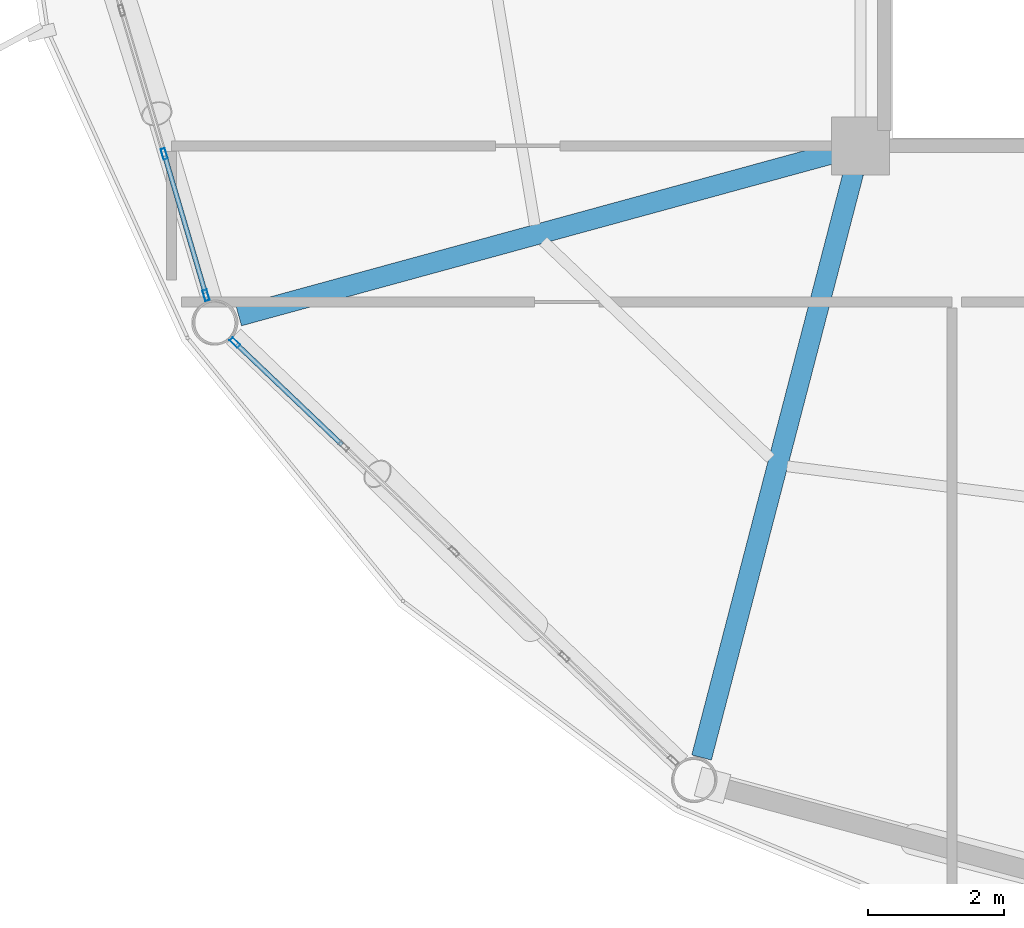
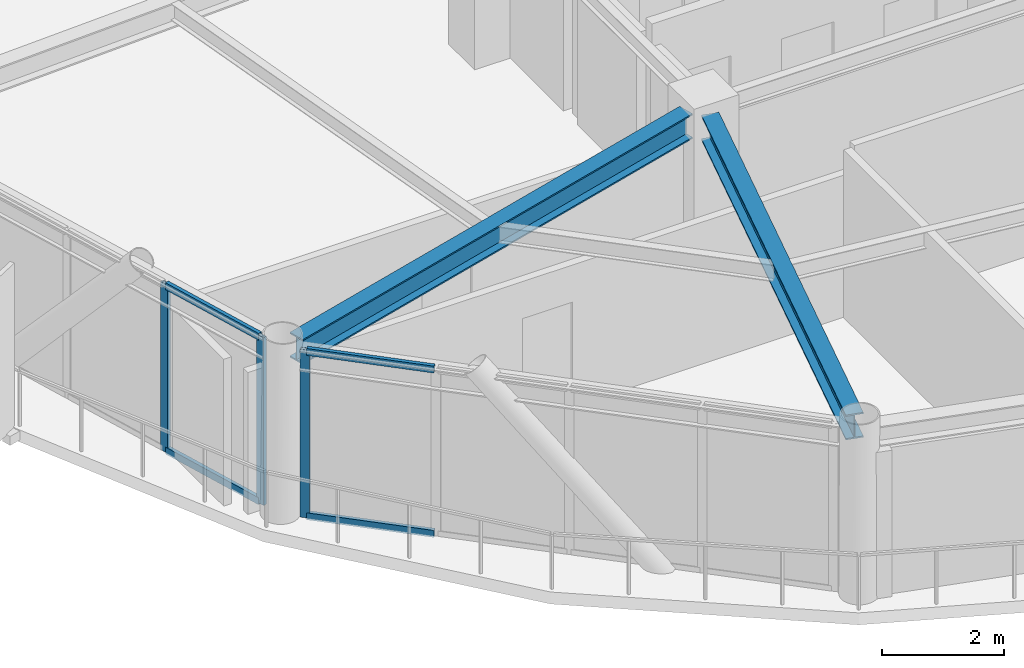
# One storey, part 4 of 28: 7 members, 2 beams, 2 elements without a shape of their own.
"""IFC4 building model written with IfcOpenShell, lengths in metres."""

from ifc_helpers import new_model, si_unit, direction, frame, origin, origin_2d, place, context, subcontext, project, spatial, hollow_rectangle, i_section, extrude, material, layer, layer_set, material_profile, profile_set, type_object, element, aggregate, save


model = new_model("IFC4")

# Units and contexts
model_context = context("Model", 3, precision=1e-05, world=origin(), true_north=direction((0.0, 1.0)))
body_context = subcontext(model_context, "Body", "Model", "MODEL_VIEW")
ifc_project = project(units=[si_unit("LENGTHUNIT", "METRE"), si_unit("AREAUNIT", "SQUARE_METRE"), si_unit("VOLUMEUNIT", "CUBIC_METRE"), si_unit("PLANEANGLEUNIT", "RADIAN"), si_unit("MASSUNIT", "GRAM", prefix="KILO")], contexts=[model_context])

# Site, building, storey
site_placement = place(None, origin())
site = spatial("IfcSite", under=ifc_project, at=site_placement, CompositionType="ELEMENT")
building_placement = place(site_placement, origin())
building = spatial("IfcBuilding", under=site, at=building_placement, Name="Varnakorn Sky Granary", CompositionType="ELEMENT")
storey_placement = place(building_placement, frame((0.0, 0.0, 196.800048828125)))
storey = spatial("IfcBuildingStorey", under=building, at=storey_placement, Name="L49", CompositionType="ELEMENT", Elevation=196.800048828125)

# Beams
ifc_material_1 = material(Name="Steel S355JR", Category="steel")
ifc_material_profile_1 = material_profile(ifc_material_1, i_section(OverallWidth=0.300048828125, OverallDepth=0.5, WebThickness=0.014404296875, FlangeThickness=0.028076171875, at=origin_2d()), Name="HE 500 B")
ifc_profile_set_1 = profile_set([ifc_material_profile_1], Name="Steel S355JR")
beam_type = type_object("IfcBeamType", Name="BM-RAD-Z4", PredefinedType="BEAM", material=ifc_profile_set_1)
beam_1_placement = place(storey_placement, frame((-2.740478515625, -6.706787109375, 3.10986328125), z_axis=(-0.964550944702, -0.26389671289, 0.0), x_axis=(0.26389671289, -0.964550944702, 0.0)))
element("IfcBeam", 1, at=beam_1_placement, inside=storey, type_object=beam_type, Name="Radial Floor Girder RG08 L49", PredefinedType="BEAM", context=body_context, shape_type="SweptSolid", body=[
    extrude(i_section(OverallWidth=0.300048828125, OverallDepth=0.5, WebThickness=0.014404296875, FlangeThickness=0.028076171875, at=origin_2d()), origin(), (0.0, 0.0, 1.0), 9.09130859375),
])
beam_2_placement = place(storey_placement, frame((-2.451904296875, -6.991943359375, 3.10986328125), z_axis=(-0.251485419147, -0.967861087118, 0.0), x_axis=(0.967861087118, -0.251485419147, 0.0)))
element("IfcBeam", 2, at=beam_2_placement, inside=storey, type_object=beam_type, Name="Radial Floor Girder RG09 L49", PredefinedType="BEAM", context=body_context, shape_type="SweptSolid", body=[
    extrude(i_section(OverallWidth=0.300048828125, OverallDepth=0.5, WebThickness=0.014404296875, FlangeThickness=0.028076171875, at=origin_2d()), origin(), (0.0, 0.0, 1.0), 8.905029296875),
])

# Curtain wall, members
ifc_material_2 = material(Name="Anodised Bronze Aluminium Alloy 6063-T6", Category="aluminium")
ifc_layer = layer(ifc_material_2, 0.169921875, Name="Anodised Bronze Aluminium Alloy 6063-T6")
ifc_layer_set = layer_set([ifc_layer], Name="Anodised Bronze Aluminium Alloy 6063-T6")
curtain_wall_type = type_object("IfcCurtainWallType", Name="CW-LAB-1", PredefinedType="USERDEFINED", material=ifc_layer_set)
curtain_wall_1_placement = place(storey_placement, origin())
curtain_wall_1 = element("IfcCurtainWall", 3, at=curtain_wall_1_placement, inside=storey, type_object=curtain_wall_type, Name="Unitised Curtain Wall CW5 CW-L49-B07", ObjectType="CURTAIN WALL", PredefinedType="USERDEFINED")
ifc_material_profile_2 = material_profile(ifc_material_2, hollow_rectangle(XDim=0.06494140625, YDim=0.159912109375, WallThickness=0.00341796875, at=origin_2d()), Name="ALU MULL 65x160")
ifc_profile_set_2 = profile_set([ifc_material_profile_2], Name="Anodised Bronze Aluminium Alloy 6063-T6")
member_type_1 = type_object("IfcMemberType", Name="CW-LAB-1-MULL", PredefinedType="MULLION", material=ifc_profile_set_2)
member_1_placement = place(storey_placement, frame((-11.991943359375, -8.80078125, 0.0), z_axis=(0.0, 0.0, 1.0), x_axis=(-0.958963914964, -0.283528146394, 0.0)))
member_1 = element("IfcMember", 4, at=member_1_placement, type_object=member_type_1, Name="CW5 mullion 1", PredefinedType="MULLION", context=body_context, shape_type="SweptSolid", body=[
    extrude(hollow_rectangle(XDim=0.06494140625, YDim=0.159912109375, WallThickness=0.00341796875, at=origin_2d()), origin(), (0.0, 0.0, 1.0), 3.35986328125),
])
member_2_placement = place(storey_placement, frame((-12.60791015625, -6.717529296875, 0.0), z_axis=(0.0, 0.0, 1.0), x_axis=(-0.958963914964, -0.283528146394, 0.0)))
member_2 = element("IfcMember", 5, at=member_2_placement, type_object=member_type_1, Name="CW5 mullion 2", PredefinedType="MULLION", context=body_context, shape_type="SweptSolid", body=[
    extrude(hollow_rectangle(XDim=0.06494140625, YDim=0.159912109375, WallThickness=0.00341796875, at=origin_2d()), origin(), (0.0, 0.0, 1.0), 3.35986328125),
])

# Curtain wall, member
curtain_wall_2_placement = place(storey_placement, origin())
curtain_wall_2 = element("IfcCurtainWall", 6, at=curtain_wall_2_placement, inside=storey, type_object=curtain_wall_type, Name="Unitised Curtain Wall CW5 CW-L49-B08", ObjectType="CURTAIN WALL", PredefinedType="USERDEFINED")
member_3_placement = place(storey_placement, frame((-11.56640625, -9.49755859375, 0.0), z_axis=(0.0, 0.0, 1.0), x_axis=(-0.690097158605, -0.723716734424, 0.0)))
member_3 = element("IfcMember", 7, at=member_3_placement, type_object=member_type_1, Name="CW5 mullion 5", PredefinedType="MULLION", context=body_context, shape_type="SweptSolid", body=[
    extrude(hollow_rectangle(XDim=0.06494140625, YDim=0.159912109375, WallThickness=0.00341796875, at=origin_2d()), origin(), (0.0, 0.0, 1.0), 3.35986328125),
])

# Member
ifc_material_profile_3 = material_profile(ifc_material_2, hollow_rectangle(XDim=0.070068359375, YDim=0.139892578125, WallThickness=0.00341796875, at=origin_2d()), Name="ALU TRAN 70x140")
ifc_profile_set_3 = profile_set([ifc_material_profile_3], Name="Anodised Bronze Aluminium Alloy 6063-T6")
member_type_2 = type_object("IfcMemberType", Name="CW-LAB-1-TRAN", PredefinedType="USERDEFINED", material=ifc_profile_set_3)
member_4_placement = place(storey_placement, frame((-12.001220703125, -8.769775390625, 0.034912109375), z_axis=(-0.283476899326, 0.95897906523, 0.0), x_axis=(-0.95897906523, -0.283476899326, 0.0)))
member_4 = element("IfcMember", 8, at=member_4_placement, type_object=member_type_2, Name="CW5 transom 1.1", ObjectType="TRANSOM", PredefinedType="USERDEFINED", context=body_context, shape_type="SweptSolid", body=[
    extrude(hollow_rectangle(XDim=0.070068359375, YDim=0.139892578125, WallThickness=0.00341796875, at=origin_2d()), origin(), (0.0, 0.0, 1.0), 2.107421875),
])

member_5_placement = place(storey_placement, frame((-12.001220703125, -8.769775390625, 3.324951171875), z_axis=(-0.283476899326, 0.95897906523, 0.0), x_axis=(-0.95897906523, -0.283476899326, 0.0)))
member_5 = element("IfcMember", 9, at=member_5_placement, type_object=member_type_2, Name="CW5 transom 1.2", ObjectType="TRANSOM", PredefinedType="USERDEFINED", context=body_context, shape_type="SweptSolid", body=[
    extrude(hollow_rectangle(XDim=0.070068359375, YDim=0.139892578125, WallThickness=0.00341796875, at=origin_2d()), origin(), (0.0, 0.0, 1.0), 2.107421875),
])

aggregate(curtain_wall_1, [member_1, member_2, member_4, member_5])

member_6_placement = place(storey_placement, frame((-9.987548828125, -11.0029296875, 0.034912109375), z_axis=(-0.72377580902, 0.690035200752, 0.0), x_axis=(-0.690035200752, -0.72377580902, 0.0)))
member_6 = element("IfcMember", 10, at=member_6_placement, type_object=member_type_2, Name="CW5 transom 4.1", ObjectType="TRANSOM", PredefinedType="USERDEFINED", context=body_context, shape_type="SweptSolid", body=[
    extrude(hollow_rectangle(XDim=0.070068359375, YDim=0.139892578125, WallThickness=0.00341796875, at=origin_2d()), origin(), (0.0, 0.0, 1.0), 2.14892578125),
])

member_7_placement = place(storey_placement, frame((-9.987548828125, -11.0029296875, 3.324951171875), z_axis=(-0.72377580902, 0.690035200752, 0.0), x_axis=(-0.690035200752, -0.72377580902, 0.0)))
member_7 = element("IfcMember", 11, at=member_7_placement, type_object=member_type_2, Name="CW5 transom 4.2", ObjectType="TRANSOM", PredefinedType="USERDEFINED", context=body_context, shape_type="SweptSolid", body=[
    extrude(hollow_rectangle(XDim=0.070068359375, YDim=0.139892578125, WallThickness=0.00341796875, at=origin_2d()), origin(), (0.0, 0.0, 1.0), 2.14892578125),
])

aggregate(curtain_wall_2, [member_3, member_6, member_7])

save(model, "model.ifc")
